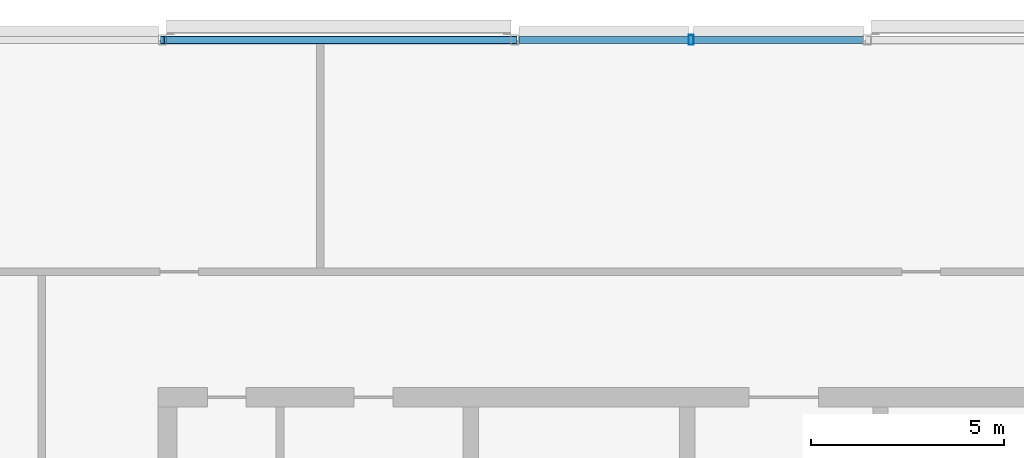
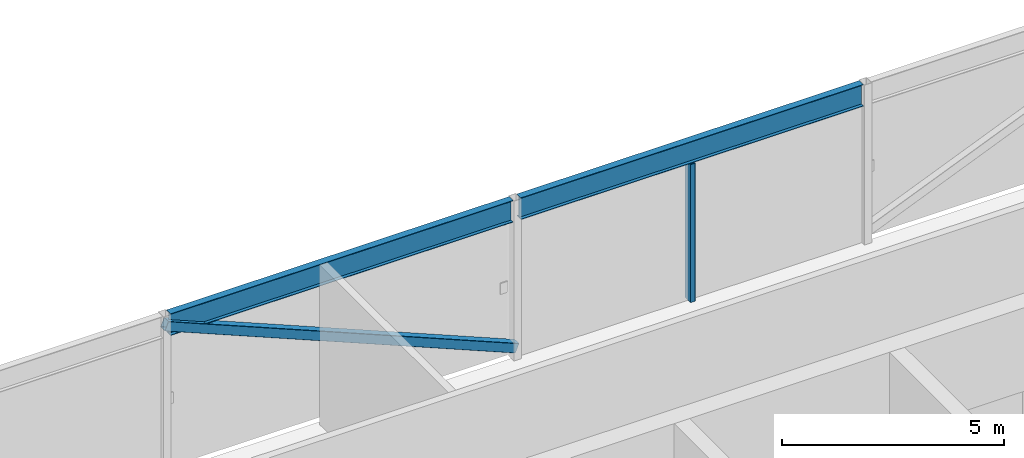
# One storey, part 12 of 27: 2 beams, 2 members.
"""IFC4 building model written with IfcOpenShell, lengths in metres."""

from ifc_helpers import new_model, si_unit, direction, frame, origin, origin_2d, place, context, subcontext, project, spatial, hollow_rectangle, i_section, extrude, material, material_profile, profile_set, type_object, element, save


model = new_model("IFC4")

# Units and contexts
model_context = context("Model", 3, precision=1e-05, world=origin(), true_north=direction((0.0, 1.0)))
body_context = subcontext(model_context, "Body", "Model", "MODEL_VIEW")
ifc_project = project(units=[si_unit("LENGTHUNIT", "METRE"), si_unit("AREAUNIT", "SQUARE_METRE"), si_unit("VOLUMEUNIT", "CUBIC_METRE"), si_unit("PLANEANGLEUNIT", "RADIAN"), si_unit("MASSUNIT", "GRAM", prefix="KILO")], contexts=[model_context])

# Site, building, storey
site_placement = place(None, origin())
site = spatial("IfcSite", under=ifc_project, at=site_placement, CompositionType="ELEMENT")
building_placement = place(site_placement, origin())
building = spatial("IfcBuilding", under=site, at=building_placement, Name="Madar Terraces", CompositionType="ELEMENT")
storey_placement = place(building_placement, frame((0.0, 0.0, 301.10009765625)))
storey = spatial("IfcBuildingStorey", under=building, at=storey_placement, Name="L78", CompositionType="ELEMENT", Elevation=301.10009765625)

# Beams
ifc_material_1 = material(Name="Steel ASTM A992 Grade 50", Category="steel")
ifc_material_profile_1 = material_profile(ifc_material_1, i_section(OverallWidth=0.1787109375, OverallDepth=0.60205078125, WebThickness=0.010986328125, FlangeThickness=0.014892578125, at=origin_2d()), Name="W24x62")
ifc_profile_set_1 = profile_set([ifc_material_profile_1], Name="Steel ASTM A992 Grade 50")
beam_type = type_object("IfcBeamType", Name="CF2 W24x62", PredefinedType="BEAM", material=ifc_profile_set_1)
for number, where, z_axis, x_axis, name in (
    (1, (33.25830078125, 46.800048828125, 4.098876953125), (-1.0, 0.0, 0.0), (0.0, -1.0, 0.0), "Crown frame ring beam CF2"),
    (2, (24.138427734375, 46.800048828125, 4.098876953125), (-1.0, 0.0, 0.0), (0.0, -1.0, 0.0), "Crown frame ring beam CF2"),
):
    element("IfcBeam", number, at=place(storey_placement, frame(where, z_axis=z_axis, x_axis=x_axis)), inside=storey, type_object=beam_type, Name=name, PredefinedType="BEAM", context=body_context, shape_type="SweptSolid", body=[
        extrude(i_section(OverallWidth=0.1787109375, OverallDepth=0.60205078125, WebThickness=0.010986328125, FlangeThickness=0.014892578125, at=origin_2d()), origin(), (0.0, 0.0, 1.0), 8.916748046875),
    ])

# Members
ifc_material_2 = material(Name="Steel ASTM A500 Grade C", Category="steel")
ifc_material_profile_2 = material_profile(ifc_material_2, hollow_rectangle(XDim=0.203125, YDim=0.25390625, WallThickness=0.009521484375, InnerFilletRadius=0.00439453125, OuterFilletRadius=0.01318359375, at=origin_2d()), Name="HSS10x8x.375")
ifc_profile_set_2 = profile_set([ifc_material_profile_2], Name="Steel ASTM A500 Grade C")
member_type_1 = type_object("IfcMemberType", Name="CF5 crown frame brace HSS10x8x.375", PredefinedType="BRACE", material=ifc_profile_set_2)
member_1_placement = place(storey_placement, frame((24.239990234375, 46.800048828125, 0.2998046875), z_axis=(-0.92310835805, 0.0, 0.384539931994), x_axis=(0.0, -1.0, 0.0)))
element("IfcMember", 3, at=member_1_placement, inside=storey, type_object=member_type_1, Name="Crown frame brace CF5", PredefinedType="BRACE", context=body_context, shape_type="SweptSolid", body=[
    extrude(hollow_rectangle(XDim=0.203125, YDim=0.25390625, WallThickness=0.009521484375, InnerFilletRadius=0.00439453125, OuterFilletRadius=0.01318359375, at=origin_2d()), origin(), (0.0, 0.0, 1.0), 9.879638671875),
])
ifc_material_3 = material(Name="Steel ASTM A500 Grade C", Category="steel")
ifc_material_profile_3 = material_profile(ifc_material_3, hollow_rectangle(XDim=0.126953125, YDim=0.25390625, WallThickness=0.00634765625, InnerFilletRadius=0.0029296875, OuterFilletRadius=0.0087890625, at=origin_2d()), Name="HSS10x5x.25")
ifc_profile_set_3 = profile_set([ifc_material_profile_3], Name="Steel ASTM A500 Grade C")
member_type_2 = type_object("IfcMemberType", Name="LS2 HSS10x5x.25", PredefinedType="POST", material=ifc_profile_set_3)
member_2_placement = place(storey_placement, frame((28.800048828125, 46.800048828125, 0.0), z_axis=(0.0, 0.0, 1.0), x_axis=(-1.0, 0.0, 0.0)))
element("IfcMember", 4, at=member_2_placement, inside=storey, type_object=member_type_2, Name="Crown louvre post LS2", PredefinedType="POST", context=body_context, shape_type="SweptSolid", body=[
    extrude(hollow_rectangle(XDim=0.126953125, YDim=0.25390625, WallThickness=0.00634765625, InnerFilletRadius=0.0029296875, OuterFilletRadius=0.0087890625, at=origin_2d()), origin(), (0.0, 0.0, 1.0), 3.7978515625),
])

save(model, "model.ifc")
